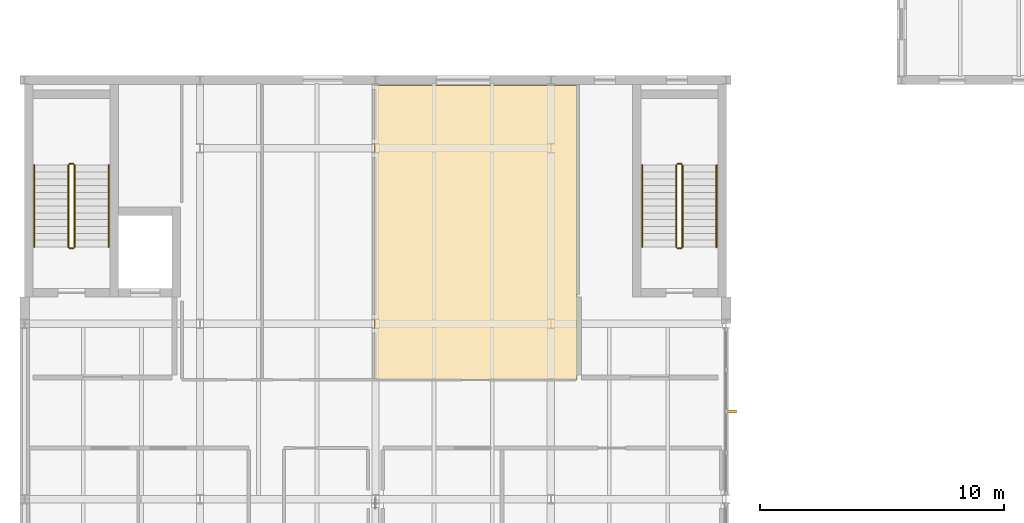
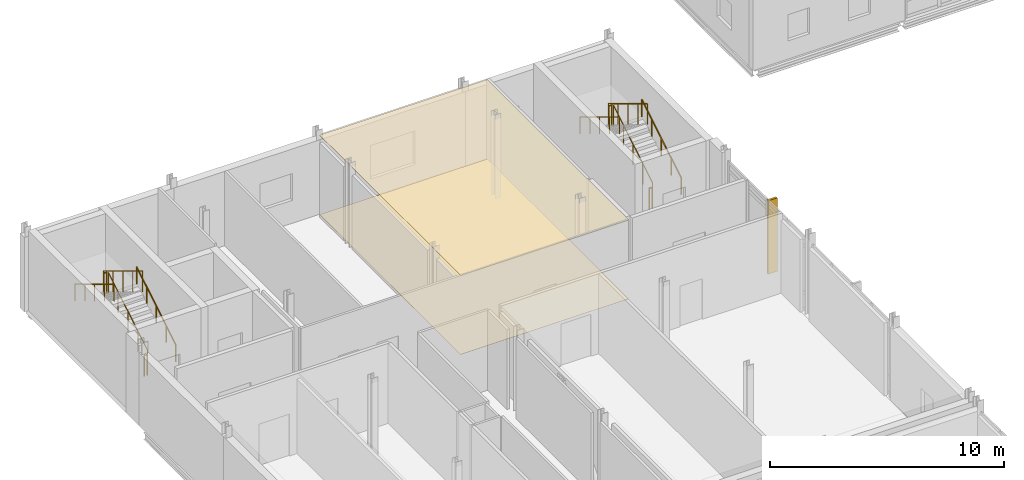
# One storey, part 72 of 76: 12 railings, 2 coverings, 1 shading device.
"""IFC4 building model written with IfcOpenShell, lengths in metres."""

from ifc_helpers import new_model, si_unit, direction, frame, origin, origin_2d, place, context, subcontext, project, spatial, polyline, rectangle, circle, outline, extrude, material, layer, layer_set, type_object, element, save


model = new_model("IFC4")

# Units and contexts
model_context = context("Model", 3, precision=1e-05, world=origin(), true_north=direction((0.0, 1.0)))
body_context = subcontext(model_context, "Body", "Model", "MODEL_VIEW")
ifc_project = project(units=[si_unit("LENGTHUNIT", "METRE"), si_unit("AREAUNIT", "SQUARE_METRE"), si_unit("VOLUMEUNIT", "CUBIC_METRE"), si_unit("PLANEANGLEUNIT", "RADIAN"), si_unit("MASSUNIT", "GRAM", prefix="KILO")], contexts=[model_context])

# Site, building, storey
site_placement = place(None, origin())
site = spatial("IfcSite", under=ifc_project, at=site_placement, CompositionType="ELEMENT")
building_placement = place(site_placement, origin())
building = spatial("IfcBuilding", under=site, at=building_placement, Name="Zarrinpeak Specialist Clinic", CompositionType="ELEMENT")
storey_placement = place(building_placement, frame((0.0, 0.0, 5.199951171875)))
storey = spatial("IfcBuildingStorey", under=building, at=storey_placement, Name="L01", CompositionType="ELEMENT", Elevation=5.199951171875)

# Coverings
ifc_material_1 = material(Name="Hygienic Acoustic Mineral Fibre Tile")
ifc_layer_1 = layer(ifc_material_1, 0.02490234375)
ifc_layer_set_1 = layer_set([ifc_layer_1], Name="Hygienic Acoustic Mineral Fibre Tile")
covering_type_1 = type_object("IfcCoveringType", Name="CV-CEIL-AC", PredefinedType="CEILING", material=ifc_layer_set_1)
covering_1_placement = place(storey_placement, frame((0.0, 0.0, 4.130126953125)))
element("IfcCovering", 1, at=covering_1_placement, inside=storey, type_object=covering_type_1, Name="L01 Specialist Consultation Room 1 Hygienic Acoustic Ceiling", PredefinedType="CEILING", context=body_context, shape_type="SweptSolid", body=[
    extrude(outline(polyline([(14.3701171875, 69.719970703125), (22.679931640625, 69.719970703125), (22.679931640625, 81.780029296875), (14.3701171875, 81.780029296875), (14.3701171875, 69.719970703125)])), origin(), (0.0, 0.0, 1.0), 0.02490234375),
])
ifc_material_2 = material(Name="Homogeneous Antimicrobial Clinical Vinyl")
ifc_layer_2 = layer(ifc_material_2, 0.008056640625)
ifc_layer_set_2 = layer_set([ifc_layer_2], Name="Homogeneous Antimicrobial Clinical Vinyl")
covering_type_2 = type_object("IfcCoveringType", Name="CV-FLR-VN", PredefinedType="FLOORING", material=ifc_layer_set_2)
covering_2_placement = place(storey_placement, frame((0.0, 0.0, 0.0009765625)))
element("IfcCovering", 2, at=covering_2_placement, inside=storey, type_object=covering_type_2, Name="L01 Specialist Consultation Room 1 Antimicrobial Vinyl Flooring", PredefinedType="FLOORING", context=body_context, shape_type="SweptSolid", body=[
    extrude(outline(polyline([(14.3701171875, 69.719970703125), (22.679931640625, 69.719970703125), (22.679931640625, 81.780029296875), (14.3701171875, 81.780029296875), (14.3701171875, 69.719970703125)])), origin(), (0.0, 0.0, 1.0), 0.008056640625),
])

# Railings
ifc_material_3 = material(Name="Laminated Safety Glass and Stainless Steel 316", Category="steel")
ifc_layer_3 = layer(ifc_material_3, 0.06005859375)
ifc_layer_set_3 = layer_set([ifc_layer_3], Name="Laminated Safety Glass and Stainless Steel 316")
railing_type_1 = type_object("IfcRailingType", Name="RL-GRD115", PredefinedType="GUARDRAIL", material=ifc_layer_set_3)
railing_1_placement = place(storey_placement, frame((2.050048828125, 75.14990234375, 0.169189453125)))
element("IfcRailing", 3, at=railing_1_placement, inside=storey, type_object=railing_type_1, Name="L01 ST-09 stair guard 1", PredefinedType="GUARDRAIL", context=body_context, shape_type="SweptSolid", body=[
    extrude(circle(Radius=0.02392578125, at=origin_2d()), frame((0.0, 0.0, 1.076171875), z_axis=(0.0, 0.855836976705, 0.517245656632), x_axis=(-1.0, 0.0, 0.0)), (0.0, 0.0, 1.0), 3.926025390625),
    extrude(circle(Radius=0.02099609375, at=origin_2d()), origin(), (0.0, 0.0, 1.0), 1.052001953125),
    extrude(circle(Radius=0.02099609375, at=origin_2d()), frame((0.0, 0.840087890625, 0.5078125)), (0.0, 0.0, 1.0), 1.052001953125),
    extrude(circle(Radius=0.02099609375, at=origin_2d()), frame((0.0, 1.68017578125, 1.015380859375)), (0.0, 0.0, 1.0), 1.052001953125),
    extrude(circle(Radius=0.02099609375, at=origin_2d()), frame((0.0, 2.52001953125, 1.52294921875)), (0.0, 0.0, 1.0), 1.052001953125),
    extrude(circle(Radius=0.02099609375, at=origin_2d()), frame((0.0, 3.360107421875, 2.03076171875)), (0.0, 0.0, 1.0), 1.052001953125),
])
railing_2_placement = place(storey_placement, frame((2.0, 78.56005859375, 2.199951171875)))
element("IfcRailing", 4, at=railing_2_placement, inside=storey, type_object=railing_type_1, Name="L01 ST-09 stair guard 2", PredefinedType="GUARDRAIL", context=body_context, shape_type="SweptSolid", body=[
    extrude(circle(Radius=0.02392578125, at=origin_2d()), frame((0.0, 0.0, 1.076171875), z_axis=(-1.0, 0.0, 0.0), x_axis=(0.0, -1.0, 0.0)), (0.0, 0.0, 1.0), 0.14990234375),
    extrude(circle(Radius=0.02099609375, at=origin_2d()), origin(), (0.0, 0.0, 1.0), 1.052001953125),
    extrude(circle(Radius=0.02099609375, at=origin_2d()), frame((-0.14990234375, 0.0, 0.0)), (0.0, 0.0, 1.0), 1.052001953125),
])
railing_3_placement = place(storey_placement, frame((1.800048828125, 78.510009765625, 2.369384765625)))
element("IfcRailing", 5, at=railing_3_placement, inside=storey, type_object=railing_type_1, Name="L01 ST-09 stair guard 3", PredefinedType="GUARDRAIL", context=body_context, shape_type="SweptSolid", body=[
    extrude(circle(Radius=0.02392578125, at=origin_2d()), frame((0.0, 0.0, 1.076171875), z_axis=(0.0, -0.855836976705, 0.517245656632), x_axis=(1.0, 0.0, 0.0)), (0.0, 0.0, 1.0), 3.926025390625),
    extrude(circle(Radius=0.02099609375, at=origin_2d()), origin(), (0.0, 0.0, 1.0), 1.052001953125),
    extrude(circle(Radius=0.02099609375, at=origin_2d()), frame((0.0, -0.840087890625, 0.5078125)), (0.0, 0.0, 1.0), 1.052001953125),
    extrude(circle(Radius=0.02099609375, at=origin_2d()), frame((0.0, -1.68017578125, 1.015380859375)), (0.0, 0.0, 1.0), 1.052001953125),
    extrude(circle(Radius=0.02099609375, at=origin_2d()), frame((0.0, -2.52001953125, 1.52294921875)), (0.0, 0.0, 1.0), 1.052001953125),
    extrude(circle(Radius=0.02099609375, at=origin_2d()), frame((0.0, -3.360107421875, 2.03076171875)), (0.0, 0.0, 1.0), 1.052001953125),
])
railing_4_placement = place(storey_placement, frame((2.0, 75.10009765625, 0.0)))
element("IfcRailing", 6, at=railing_4_placement, inside=storey, type_object=railing_type_1, Name="L01 ST-09 stair guard 4", PredefinedType="GUARDRAIL", context=body_context, shape_type="SweptSolid", body=[
    extrude(circle(Radius=0.02392578125, at=origin_2d()), frame((0.0, 0.0, 1.076171875), z_axis=(-1.0, 0.0, 0.0), x_axis=(0.0, -1.0, 0.0)), (0.0, 0.0, 1.0), 0.14990234375),
    extrude(circle(Radius=0.02099609375, at=origin_2d()), origin(), (0.0, 0.0, 1.0), 1.052001953125),
    extrude(circle(Radius=0.02099609375, at=origin_2d()), frame((-0.14990234375, 0.0, 0.0)), (0.0, 0.0, 1.0), 1.052001953125),
])
railing_5_placement = place(storey_placement, frame((27.0, 75.14990234375, 0.169189453125)))
element("IfcRailing", 7, at=railing_5_placement, inside=storey, type_object=railing_type_1, Name="L01 ST-10 stair guard 1", PredefinedType="GUARDRAIL", context=body_context, shape_type="SweptSolid", body=[
    extrude(circle(Radius=0.02392578125, at=origin_2d()), frame((0.0, 0.0, 1.076171875), z_axis=(0.0, 0.855836976705, 0.517245656632), x_axis=(-1.0, 0.0, 0.0)), (0.0, 0.0, 1.0), 3.926025390625),
    extrude(circle(Radius=0.02099609375, at=origin_2d()), origin(), (0.0, 0.0, 1.0), 1.052001953125),
    extrude(circle(Radius=0.02099609375, at=origin_2d()), frame((0.0, 0.840087890625, 0.5078125)), (0.0, 0.0, 1.0), 1.052001953125),
    extrude(circle(Radius=0.02099609375, at=origin_2d()), frame((0.0, 1.68017578125, 1.015380859375)), (0.0, 0.0, 1.0), 1.052001953125),
    extrude(circle(Radius=0.02099609375, at=origin_2d()), frame((0.0, 2.52001953125, 1.52294921875)), (0.0, 0.0, 1.0), 1.052001953125),
    extrude(circle(Radius=0.02099609375, at=origin_2d()), frame((0.0, 3.360107421875, 2.03076171875)), (0.0, 0.0, 1.0), 1.052001953125),
])
railing_6_placement = place(storey_placement, frame((26.949951171875, 78.56005859375, 2.199951171875)))
element("IfcRailing", 8, at=railing_6_placement, inside=storey, type_object=railing_type_1, Name="L01 ST-10 stair guard 2", PredefinedType="GUARDRAIL", context=body_context, shape_type="SweptSolid", body=[
    extrude(circle(Radius=0.02392578125, at=origin_2d()), frame((0.0, 0.0, 1.076171875), z_axis=(-1.0, 0.0, 0.0), x_axis=(0.0, -1.0, 0.0)), (0.0, 0.0, 1.0), 0.14990234375),
    extrude(circle(Radius=0.02099609375, at=origin_2d()), origin(), (0.0, 0.0, 1.0), 1.052001953125),
    extrude(circle(Radius=0.02099609375, at=origin_2d()), frame((-0.14990234375, 0.0, 0.0)), (0.0, 0.0, 1.0), 1.052001953125),
])
railing_7_placement = place(storey_placement, frame((26.75, 78.510009765625, 2.369384765625)))
element("IfcRailing", 9, at=railing_7_placement, inside=storey, type_object=railing_type_1, Name="L01 ST-10 stair guard 3", PredefinedType="GUARDRAIL", context=body_context, shape_type="SweptSolid", body=[
    extrude(circle(Radius=0.02392578125, at=origin_2d()), frame((0.0, 0.0, 1.076171875), z_axis=(0.0, -0.855836976705, 0.517245656632), x_axis=(1.0, 0.0, 0.0)), (0.0, 0.0, 1.0), 3.926025390625),
    extrude(circle(Radius=0.02099609375, at=origin_2d()), origin(), (0.0, 0.0, 1.0), 1.052001953125),
    extrude(circle(Radius=0.02099609375, at=origin_2d()), frame((0.0, -0.840087890625, 0.5078125)), (0.0, 0.0, 1.0), 1.052001953125),
    extrude(circle(Radius=0.02099609375, at=origin_2d()), frame((0.0, -1.68017578125, 1.015380859375)), (0.0, 0.0, 1.0), 1.052001953125),
    extrude(circle(Radius=0.02099609375, at=origin_2d()), frame((0.0, -2.52001953125, 1.52294921875)), (0.0, 0.0, 1.0), 1.052001953125),
    extrude(circle(Radius=0.02099609375, at=origin_2d()), frame((0.0, -3.360107421875, 2.03076171875)), (0.0, 0.0, 1.0), 1.052001953125),
])
railing_8_placement = place(storey_placement, frame((26.949951171875, 75.10009765625, 0.0)))
element("IfcRailing", 10, at=railing_8_placement, inside=storey, type_object=railing_type_1, Name="L01 ST-10 stair guard 4", PredefinedType="GUARDRAIL", context=body_context, shape_type="SweptSolid", body=[
    extrude(circle(Radius=0.02392578125, at=origin_2d()), frame((0.0, 0.0, 1.076171875), z_axis=(-1.0, 0.0, 0.0), x_axis=(0.0, -1.0, 0.0)), (0.0, 0.0, 1.0), 0.14990234375),
    extrude(circle(Radius=0.02099609375, at=origin_2d()), origin(), (0.0, 0.0, 1.0), 1.052001953125),
    extrude(circle(Radius=0.02099609375, at=origin_2d()), frame((-0.14990234375, 0.0, 0.0)), (0.0, 0.0, 1.0), 1.052001953125),
])
ifc_material_4 = material(Name="Brushed Stainless Steel 316 Handrail", Category="steel")
ifc_layer_4 = layer(ifc_material_4, 0.050048828125)
ifc_layer_set_4 = layer_set([ifc_layer_4], Name="Brushed Stainless Steel 316 Handrail")
railing_type_2 = type_object("IfcRailingType", Name="RL-HND92", PredefinedType="HANDRAIL", material=ifc_layer_set_4)
railing_9_placement = place(storey_placement, frame((3.449951171875, 75.14990234375, 0.169189453125)))
element("IfcRailing", 11, at=railing_9_placement, inside=storey, type_object=railing_type_2, Name="L01 ST-09 stair handrail 1", PredefinedType="HANDRAIL", context=body_context, shape_type="SweptSolid", body=[
    extrude(circle(Radius=0.02392578125, at=origin_2d()), frame((0.0, 0.0, 0.8759765625), z_axis=(0.0, 0.855836976705, 0.517245656632), x_axis=(-1.0, 0.0, 0.0)), (0.0, 0.0, 1.0), 3.926025390625),
    extrude(circle(Radius=0.02099609375, at=origin_2d()), origin(), (0.0, 0.0, 1.0), 0.851806640625),
    extrude(circle(Radius=0.02099609375, at=origin_2d()), frame((0.0, 0.840087890625, 0.5078125)), (0.0, 0.0, 1.0), 0.851806640625),
    extrude(circle(Radius=0.02099609375, at=origin_2d()), frame((0.0, 1.68017578125, 1.015380859375)), (0.0, 0.0, 1.0), 0.851806640625),
    extrude(circle(Radius=0.02099609375, at=origin_2d()), frame((0.0, 2.52001953125, 1.52294921875)), (0.0, 0.0, 1.0), 0.851806640625),
    extrude(circle(Radius=0.02099609375, at=origin_2d()), frame((0.0, 3.360107421875, 2.03076171875)), (0.0, 0.0, 1.0), 0.851806640625),
])
railing_10_placement = place(storey_placement, frame((0.39990234375, 78.510009765625, 2.369384765625)))
element("IfcRailing", 12, at=railing_10_placement, inside=storey, type_object=railing_type_2, Name="L01 ST-09 stair handrail 2", PredefinedType="HANDRAIL", context=body_context, shape_type="SweptSolid", body=[
    extrude(circle(Radius=0.02392578125, at=origin_2d()), frame((0.0, 0.0, 0.8759765625), z_axis=(0.0, -0.855836976705, 0.517245656632), x_axis=(1.0, 0.0, 0.0)), (0.0, 0.0, 1.0), 3.926025390625),
    extrude(circle(Radius=0.02099609375, at=origin_2d()), origin(), (0.0, 0.0, 1.0), 0.851806640625),
    extrude(circle(Radius=0.02099609375, at=origin_2d()), frame((0.0, -0.840087890625, 0.5078125)), (0.0, 0.0, 1.0), 0.851806640625),
    extrude(circle(Radius=0.02099609375, at=origin_2d()), frame((0.0, -1.68017578125, 1.015380859375)), (0.0, 0.0, 1.0), 0.851806640625),
    extrude(circle(Radius=0.02099609375, at=origin_2d()), frame((0.0, -2.52001953125, 1.52294921875)), (0.0, 0.0, 1.0), 0.851806640625),
    extrude(circle(Radius=0.02099609375, at=origin_2d()), frame((0.0, -3.360107421875, 2.03076171875)), (0.0, 0.0, 1.0), 0.851806640625),
])
railing_11_placement = place(storey_placement, frame((28.39990234375, 75.14990234375, 0.169189453125)))
element("IfcRailing", 13, at=railing_11_placement, inside=storey, type_object=railing_type_2, Name="L01 ST-10 stair handrail 1", PredefinedType="HANDRAIL", context=body_context, shape_type="SweptSolid", body=[
    extrude(circle(Radius=0.02392578125, at=origin_2d()), frame((0.0, 0.0, 0.8759765625), z_axis=(0.0, 0.855836976705, 0.517245656632), x_axis=(-1.0, 0.0, 0.0)), (0.0, 0.0, 1.0), 3.926025390625),
    extrude(circle(Radius=0.02099609375, at=origin_2d()), origin(), (0.0, 0.0, 1.0), 0.851806640625),
    extrude(circle(Radius=0.02099609375, at=origin_2d()), frame((0.0, 0.840087890625, 0.5078125)), (0.0, 0.0, 1.0), 0.851806640625),
    extrude(circle(Radius=0.02099609375, at=origin_2d()), frame((0.0, 1.68017578125, 1.015380859375)), (0.0, 0.0, 1.0), 0.851806640625),
    extrude(circle(Radius=0.02099609375, at=origin_2d()), frame((0.0, 2.52001953125, 1.52294921875)), (0.0, 0.0, 1.0), 0.851806640625),
    extrude(circle(Radius=0.02099609375, at=origin_2d()), frame((0.0, 3.360107421875, 2.03076171875)), (0.0, 0.0, 1.0), 0.851806640625),
])
railing_12_placement = place(storey_placement, frame((25.35009765625, 78.510009765625, 2.369384765625)))
element("IfcRailing", 14, at=railing_12_placement, inside=storey, type_object=railing_type_2, Name="L01 ST-10 stair handrail 2", PredefinedType="HANDRAIL", context=body_context, shape_type="SweptSolid", body=[
    extrude(circle(Radius=0.02392578125, at=origin_2d()), frame((0.0, 0.0, 0.8759765625), z_axis=(0.0, -0.855836976705, 0.517245656632), x_axis=(1.0, 0.0, 0.0)), (0.0, 0.0, 1.0), 3.926025390625),
    extrude(circle(Radius=0.02099609375, at=origin_2d()), origin(), (0.0, 0.0, 1.0), 0.851806640625),
    extrude(circle(Radius=0.02099609375, at=origin_2d()), frame((0.0, -0.840087890625, 0.5078125)), (0.0, 0.0, 1.0), 0.851806640625),
    extrude(circle(Radius=0.02099609375, at=origin_2d()), frame((0.0, -1.68017578125, 1.015380859375)), (0.0, 0.0, 1.0), 0.851806640625),
    extrude(circle(Radius=0.02099609375, at=origin_2d()), frame((0.0, -2.52001953125, 1.52294921875)), (0.0, 0.0, 1.0), 0.851806640625),
    extrude(circle(Radius=0.02099609375, at=origin_2d()), frame((0.0, -3.360107421875, 2.03076171875)), (0.0, 0.0, 1.0), 0.851806640625),
])

# Shading device
ifc_material_5 = material(Name="Glulam GL28h", Category="wood")
shading_device_type = type_object("IfcShadingDeviceType", Name="SHD-FIN-GL", PredefinedType="USERDEFINED", material=ifc_material_5)
shading_device_placement = place(storey_placement, frame((29.0, 68.39990234375, -0.01513671875), z_axis=(0.0, 0.0, 1.0), x_axis=(1.0, 0.0, 0.0)))
element("IfcShadingDevice", 15, at=shading_device_placement, inside=storey, type_object=shading_device_type, Name="L01 V5 Cedar-Glulam Courtyard Fin FIN-076", ObjectType="SUNSHADE", PredefinedType="USERDEFINED", context=body_context, shape_type="SweptSolid", body=[
    extrude(rectangle(XDim=0.449951171875, YDim=0.110107421875, at=origin_2d()), origin(), (0.0, 0.0, 1.0), 3.840087890625),
])

save(model, "model.ifc")
